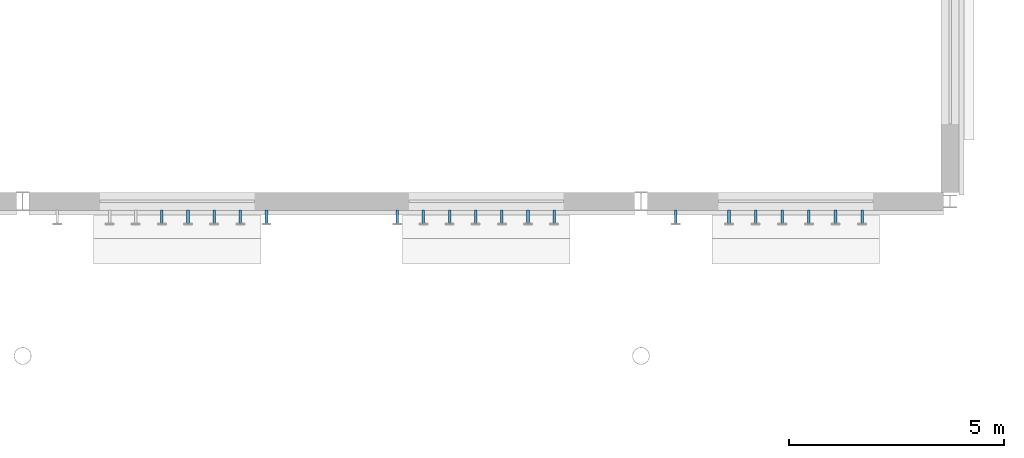
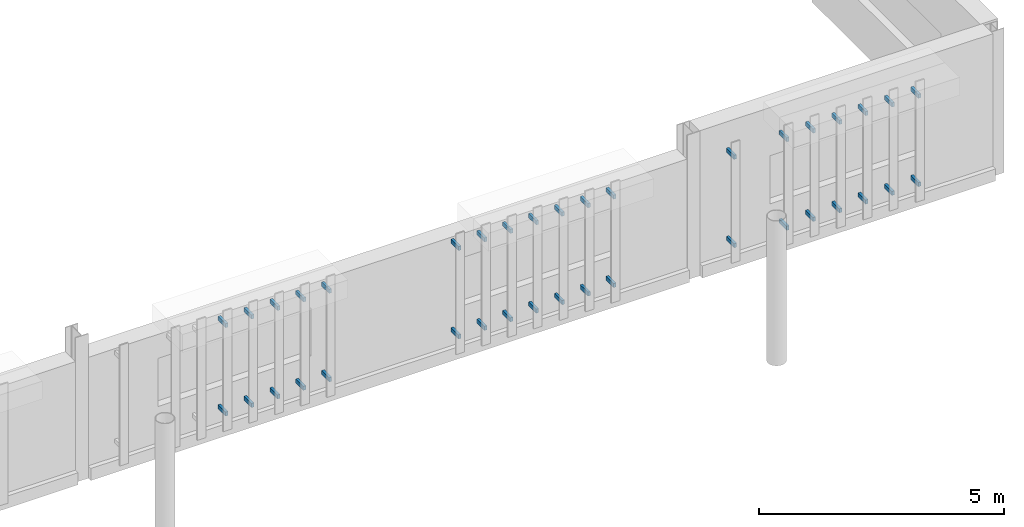
# One storey, part 99 of 124: 38 discrete accessories.
"""IFC4 building model written with IfcOpenShell, lengths in metres."""

from ifc_helpers import new_model, si_unit, direction, frame, origin, origin_2d, place, context, subcontext, project, spatial, rectangle, extrude, material, layer, layer_set, type_object, element, save


model = new_model("IFC4")

# Units and contexts
model_context = context("Model", 3, precision=1e-05, world=origin(), true_north=direction((0.0, 1.0)))
body_context = subcontext(model_context, "Body", "Model", "MODEL_VIEW")
ifc_project = project(units=[si_unit("LENGTHUNIT", "METRE"), si_unit("AREAUNIT", "SQUARE_METRE"), si_unit("VOLUMEUNIT", "CUBIC_METRE"), si_unit("PLANEANGLEUNIT", "RADIAN"), si_unit("MASSUNIT", "GRAM", prefix="KILO")], contexts=[model_context])

# Site, building, storey
site_placement = place(None, origin())
site = spatial("IfcSite", under=ifc_project, at=site_placement, CompositionType="ELEMENT")
building_placement = place(site_placement, origin())
building = spatial("IfcBuilding", under=site, at=building_placement, Name="Kupolbacken Congress Centre", CompositionType="ELEMENT")
storey_placement = place(building_placement, frame((0.0, 0.0, 10.800048828125)))
storey = spatial("IfcBuildingStorey", under=building, at=storey_placement, Name="L03", CompositionType="ELEMENT", Elevation=10.800048828125)

# Discrete accessories
ifc_material = material(Name="Steel S355", Category="steel")
ifc_layer = layer(ifc_material, 0.011962890625)
ifc_layer_set = layer_set([ifc_layer], Name="Steel S355")
discrete_accessory_type = type_object("IfcDiscreteAccessoryType", Name="BK1 bracket 150 x 150 x 12", PredefinedType="BRACKET", material=ifc_layer_set)
for number, where, z_axis, x_axis, name in (
    (1, (183.240966796875, 42.840087890625, 0.64990234375), (0.0, 0.0, 1.0), (1.0, 0.0, 0.0), "E/brise/S/L03/369/B05/BR1"),
    (2, (183.240966796875, 42.840087890625, 2.849853515625), (0.0, 0.0, 1.0), (1.0, 0.0, 0.0), "E/brise/S/L03/369/B05/BR2"),
    (3, (183.85009765625, 42.840087890625, 0.64990234375), (0.0, 0.0, 1.0), (1.0, 0.0, 0.0), "E/brise/S/L03/369/B06/BR1"),
    (4, (183.85009765625, 42.840087890625, 2.849853515625), (0.0, 0.0, 1.0), (1.0, 0.0, 0.0), "E/brise/S/L03/369/B06/BR2"),
    (5, (184.458984375, 42.840087890625, 0.64990234375), (0.0, 0.0, 1.0), (1.0, 0.0, 0.0), "E/brise/S/L03/369/B07/BR1"),
    (6, (184.458984375, 42.840087890625, 2.849853515625), (0.0, 0.0, 1.0), (1.0, 0.0, 0.0), "E/brise/S/L03/369/B07/BR2"),
    (7, (185.068115234375, 42.840087890625, 0.64990234375), (0.0, 0.0, 1.0), (1.0, 0.0, 0.0), "E/brise/S/L03/369/B08/BR1"),
    (8, (185.068115234375, 42.840087890625, 2.849853515625), (0.0, 0.0, 1.0), (1.0, 0.0, 0.0), "E/brise/S/L03/369/B08/BR2"),
    (9, (185.67724609375, 42.840087890625, 0.64990234375), (0.0, 0.0, 1.0), (1.0, 0.0, 0.0), "E/brise/S/L03/369/B09/BR1"),
    (10, (185.67724609375, 42.840087890625, 2.849853515625), (0.0, 0.0, 1.0), (1.0, 0.0, 0.0), "E/brise/S/L03/369/B09/BR2"),
    (11, (188.72265625, 42.840087890625, 0.64990234375), (0.0, 0.0, 1.0), (1.0, 0.0, 0.0), "E/brise/S/L03/369/B14/BR1"),
    (12, (188.72265625, 42.840087890625, 2.849853515625), (0.0, 0.0, 1.0), (1.0, 0.0, 0.0), "E/brise/S/L03/369/B14/BR2"),
    (13, (189.331787109375, 42.840087890625, 0.64990234375), (0.0, 0.0, 1.0), (1.0, 0.0, 0.0), "E/brise/S/L03/369/B15/BR1"),
    (14, (189.331787109375, 42.840087890625, 2.849853515625), (0.0, 0.0, 1.0), (1.0, 0.0, 0.0), "E/brise/S/L03/369/B15/BR2"),
    (15, (189.94091796875, 42.840087890625, 0.64990234375), (0.0, 0.0, 1.0), (1.0, 0.0, 0.0), "E/brise/S/L03/369/B16/BR1"),
    (16, (189.94091796875, 42.840087890625, 2.849853515625), (0.0, 0.0, 1.0), (1.0, 0.0, 0.0), "E/brise/S/L03/369/B16/BR2"),
    (17, (190.550048828125, 42.840087890625, 0.64990234375), (0.0, 0.0, 1.0), (1.0, 0.0, 0.0), "E/brise/S/L03/369/B17/BR1"),
    (18, (190.550048828125, 42.840087890625, 2.849853515625), (0.0, 0.0, 1.0), (1.0, 0.0, 0.0), "E/brise/S/L03/369/B17/BR2"),
    (19, (191.1591796875, 42.840087890625, 0.64990234375), (0.0, 0.0, 1.0), (1.0, 0.0, 0.0), "E/brise/S/L03/369/B18/BR1"),
    (20, (191.1591796875, 42.840087890625, 2.849853515625), (0.0, 0.0, 1.0), (1.0, 0.0, 0.0), "E/brise/S/L03/369/B18/BR2"),
    (21, (191.76806640625, 42.840087890625, 0.64990234375), (0.0, 0.0, 1.0), (1.0, 0.0, 0.0), "E/brise/S/L03/369/B19/BR1"),
    (22, (191.76806640625, 42.840087890625, 2.849853515625), (0.0, 0.0, 1.0), (1.0, 0.0, 0.0), "E/brise/S/L03/369/B19/BR2"),
    (23, (192.377197265625, 42.840087890625, 0.64990234375), (0.0, 0.0, 1.0), (1.0, 0.0, 0.0), "E/brise/S/L03/369/B20/BR1"),
    (24, (192.377197265625, 42.840087890625, 2.849853515625), (0.0, 0.0, 1.0), (1.0, 0.0, 0.0), "E/brise/S/L03/369/B20/BR2"),
    (25, (195.2099609375, 42.840087890625, 0.64990234375), (0.0, 0.0, 1.0), (1.0, 0.0, 0.0), "E/brise/S/L03/370/B01/BR1"),
    (26, (195.2099609375, 42.840087890625, 2.849853515625), (0.0, 0.0, 1.0), (1.0, 0.0, 0.0), "E/brise/S/L03/370/B01/BR2"),
    (27, (196.449951171875, 42.840087890625, 0.64990234375), (0.0, 0.0, 1.0), (1.0, 0.0, 0.0), "E/brise/S/L03/370/B03/BR1"),
    (28, (196.449951171875, 42.840087890625, 2.849853515625), (0.0, 0.0, 1.0), (1.0, 0.0, 0.0), "E/brise/S/L03/370/B03/BR2"),
    (29, (197.070068359375, 42.840087890625, 0.64990234375), (0.0, 0.0, 1.0), (1.0, 0.0, 0.0), "E/brise/S/L03/370/B04/BR1"),
    (30, (197.070068359375, 42.840087890625, 2.849853515625), (0.0, 0.0, 1.0), (1.0, 0.0, 0.0), "E/brise/S/L03/370/B04/BR2"),
    (31, (197.68994140625, 42.840087890625, 0.64990234375), (0.0, 0.0, 1.0), (1.0, 0.0, 0.0), "E/brise/S/L03/370/B05/BR1"),
    (32, (197.68994140625, 42.840087890625, 2.849853515625), (0.0, 0.0, 1.0), (1.0, 0.0, 0.0), "E/brise/S/L03/370/B05/BR2"),
    (33, (198.31005859375, 42.840087890625, 0.64990234375), (0.0, 0.0, 1.0), (1.0, 0.0, 0.0), "E/brise/S/L03/370/B06/BR1"),
    (34, (198.31005859375, 42.840087890625, 2.849853515625), (0.0, 0.0, 1.0), (1.0, 0.0, 0.0), "E/brise/S/L03/370/B06/BR2"),
    (35, (198.929931640625, 42.840087890625, 0.64990234375), (0.0, 0.0, 1.0), (1.0, 0.0, 0.0), "E/brise/S/L03/370/B07/BR1"),
    (36, (198.929931640625, 42.840087890625, 2.849853515625), (0.0, 0.0, 1.0), (1.0, 0.0, 0.0), "E/brise/S/L03/370/B07/BR2"),
    (37, (199.550048828125, 42.840087890625, 0.64990234375), (0.0, 0.0, 1.0), (1.0, 0.0, 0.0), "E/brise/S/L03/370/B08/BR1"),
    (38, (199.550048828125, 42.840087890625, 2.849853515625), (0.0, 0.0, 1.0), (1.0, 0.0, 0.0), "E/brise/S/L03/370/B08/BR2"),
):
    element("IfcDiscreteAccessory", number, at=place(storey_placement, frame(where, z_axis=z_axis, x_axis=x_axis)), inside=storey, type_object=discrete_accessory_type, Name=name, PredefinedType="BRACKET", context=body_context, shape_type="SweptSolid", body=[
        extrude(rectangle(XDim=0.06005859375, YDim=0.31005859375, at=origin_2d()), origin(), (0.0, 0.0, 1.0), 0.10009765625),
    ])

save(model, "model.ifc")
